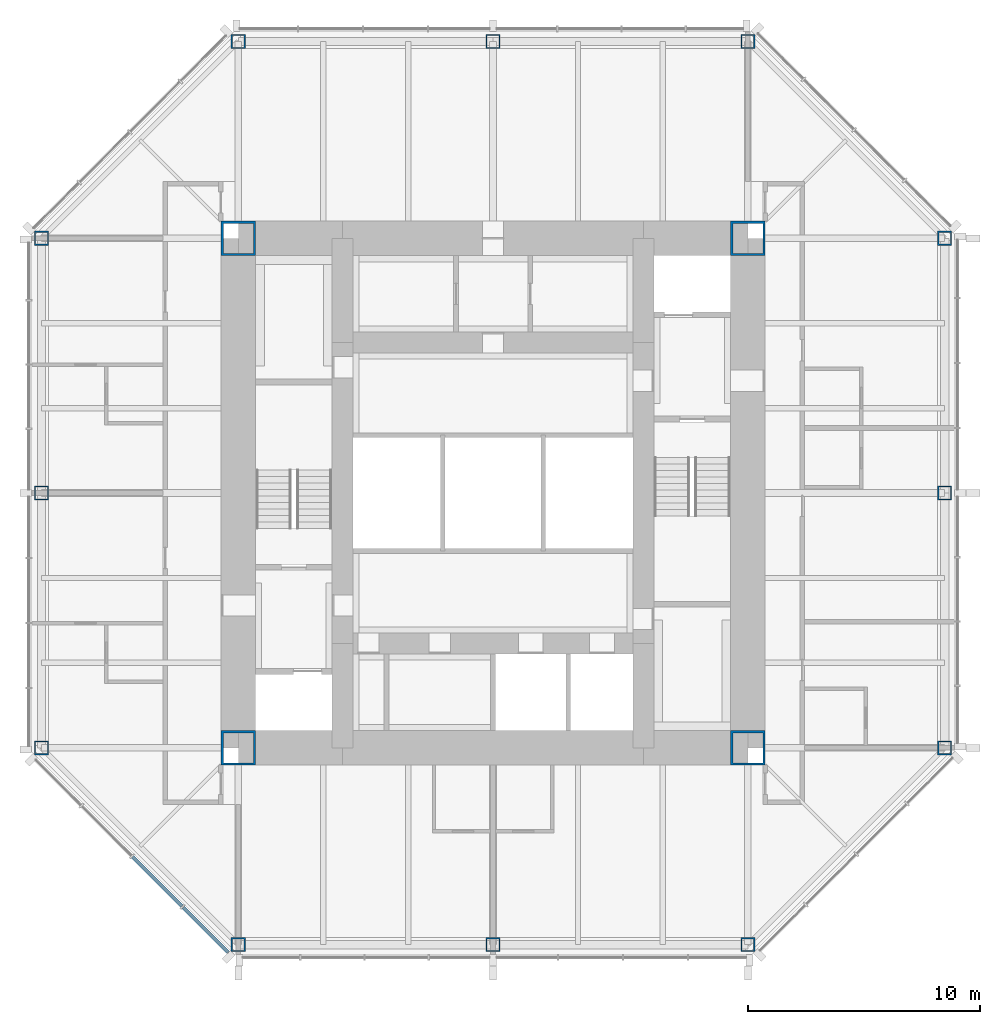
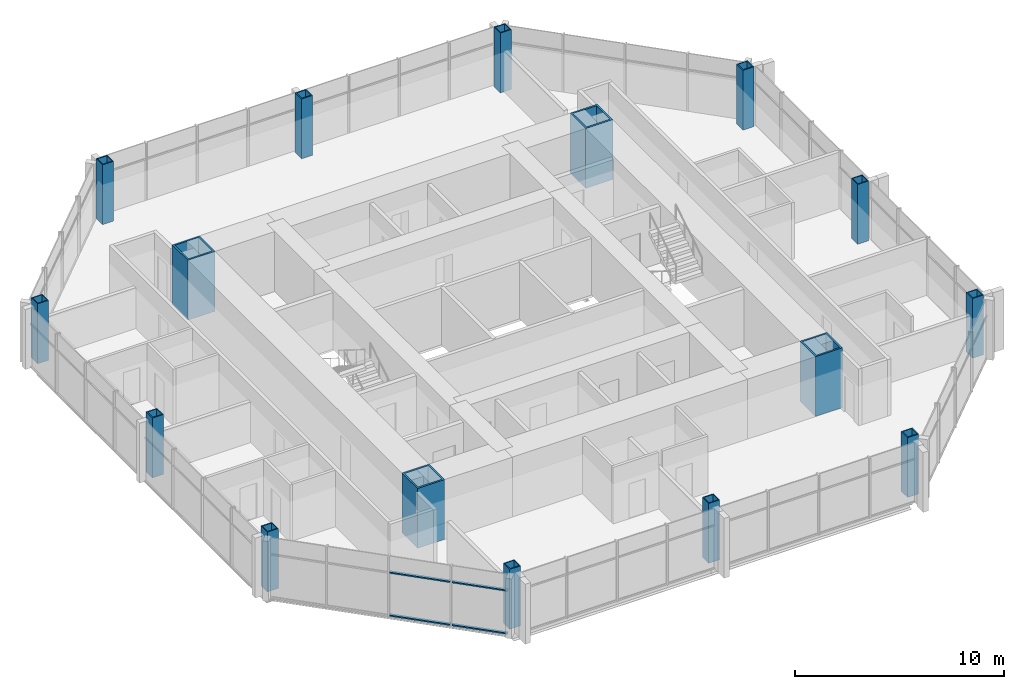
# One storey, part 1 of 11: 16 columns, 4 members, 1 element without a shape of its own.
"""IFC4 building model written with IfcOpenShell, lengths in metres."""

from ifc_helpers import new_model, si_unit, direction, frame, origin, origin_2d, place, context, subcontext, project, spatial, rectangle, hollow_rectangle, extrude, material, material_profile, profile_set, type_object, element, aggregate, save


model = new_model("IFC4")

# Units and contexts
model_context = context("Model", 3, precision=1e-05, world=origin(), true_north=direction((0.0, 1.0)))
body_context = subcontext(model_context, "Body", "Model", "MODEL_VIEW")
ifc_project = project(units=[si_unit("LENGTHUNIT", "METRE"), si_unit("AREAUNIT", "SQUARE_METRE"), si_unit("VOLUMEUNIT", "CUBIC_METRE"), si_unit("PLANEANGLEUNIT", "RADIAN"), si_unit("MASSUNIT", "GRAM", prefix="KILO")], contexts=[model_context])

# Site, building, storey
site_placement = place(None, origin())
site = spatial("IfcSite", under=ifc_project, at=site_placement, CompositionType="ELEMENT")
building_placement = place(site_placement, origin())
building = spatial("IfcBuilding", under=site, at=building_placement, Name="Trevanion Tower", CompositionType="ELEMENT")
storey_placement = place(building_placement, frame((0.0, 0.0, 253.699951171875)))
storey = spatial("IfcBuildingStorey", under=building, at=storey_placement, Name="L62", CompositionType="ELEMENT", Elevation=253.699951171875)

# Columns
ifc_material_1 = material(Name="Steel ASTM A572 Grade 50", Category="steel")
ifc_material_profile_1 = material_profile(ifc_material_1, hollow_rectangle(XDim=0.609619140625, YDim=0.609619140625, WallThickness=0.05078125, at=origin_2d()), Name="BOX24X24X2")
ifc_profile_set_1 = profile_set([ifc_material_profile_1], Name="Steel ASTM A572 Grade 50")
column_type_1 = type_object("IfcColumnType", Name="C5 BOX24X24X2", PredefinedType="COLUMN", material=ifc_profile_set_1)
for number, where, z_axis, x_axis, name in (
    (1, (-19.5, 0.0, 0.0), (0.0, 0.0, 1.0), (0.0, 1.0, 0.0), "C5 5/H L62"),
    (2, (-19.5, -11.0, 0.0), (0.0, 0.0, 1.0), (0.0, 1.0, 0.0), "C5 5/F L62"),
    (3, (-11.0, -19.5, 0.0), (0.0, 0.0, 1.0), (1.0, 0.0, 0.0), "C5 8/C L62"),
    (4, (0.0, -19.5, 0.0), (0.0, 0.0, 1.0), (1.0, 0.0, 0.0), "C5 10/C L62"),
    (5, (11.0, -19.5, 0.0), (0.0, 0.0, 1.0), (1.0, 0.0, 0.0), "C5 12/C L62"),
    (6, (19.5, -11.0, 0.0), (0.0, 0.0, 1.0), (0.0, 1.0, 0.0), "C5 15/F L62"),
    (7, (19.5, 0.0, 0.0), (0.0, 0.0, 1.0), (0.0, 1.0, 0.0), "C5 15/H L62"),
    (8, (19.5, 11.0, 0.0), (0.0, 0.0, 1.0), (0.0, 1.0, 0.0), "C5 15/K L62"),
    (9, (11.0, 19.5, 0.0), (0.0, 0.0, 1.0), (1.0, 0.0, 0.0), "C5 12/N L62"),
    (10, (0.0, 19.5, 0.0), (0.0, 0.0, 1.0), (1.0, 0.0, 0.0), "C5 10/N L62"),
    (11, (-11.0, 19.5, 0.0), (0.0, 0.0, 1.0), (1.0, 0.0, 0.0), "C5 8/N L62"),
    (12, (-19.5, 11.0, 0.0), (0.0, 0.0, 1.0), (0.0, 1.0, 0.0), "C5 5/K L62"),
):
    element("IfcColumn", number, at=place(storey_placement, frame(where, z_axis=z_axis, x_axis=x_axis)), inside=storey, type_object=column_type_1, Name=name, PredefinedType="COLUMN", context=body_context, shape_type="SweptSolid", body=[
        extrude(hollow_rectangle(XDim=0.609619140625, YDim=0.609619140625, WallThickness=0.05078125, at=origin_2d()), origin(), (0.0, 0.0, 1.0), 3.5),
    ])
ifc_material_2 = material(Name="Steel ASTM A572 Grade 50", Category="steel")
ifc_material_profile_2 = material_profile(ifc_material_2, hollow_rectangle(XDim=1.49853515625, YDim=1.49853515625, WallThickness=0.1015625, at=origin_2d()), Name="BOX59X59X4")
ifc_profile_set_2 = profile_set([ifc_material_profile_2], Name="Steel ASTM A572 Grade 50")
column_type_2 = type_object("IfcColumnType", Name="CB1 BOX59X59X4", PredefinedType="COLUMN", material=ifc_profile_set_2)
for number, where, z_axis, x_axis, name in (
    (13, (11.0, 11.0, 0.0), (0.0, 0.0, 1.0), (1.0, 0.0, 0.0), "CB1 NE L62"),
    (14, (-11.0, 11.0, 0.0), (0.0, 0.0, 1.0), (1.0, 0.0, 0.0), "CB1 NW L62"),
    (15, (-11.0, -11.0, 0.0), (0.0, 0.0, 1.0), (1.0, 0.0, 0.0), "CB1 SW L62"),
    (16, (11.0, -11.0, 0.0), (0.0, 0.0, 1.0), (1.0, 0.0, 0.0), "CB1 SE L62"),
):
    element("IfcColumn", number, at=place(storey_placement, frame(where, z_axis=z_axis, x_axis=x_axis)), inside=storey, type_object=column_type_2, Name=name, PredefinedType="COLUMN", context=body_context, shape_type="SweptSolid", body=[
        extrude(hollow_rectangle(XDim=1.49853515625, YDim=1.49853515625, WallThickness=0.1015625, at=origin_2d()), origin(), (0.0, 0.0, 1.0), 3.5),
    ])

# Curtain wall, members
ifc_material_3 = material(Name="Aluminium and glass", Category="aluminium")
curtain_wall_type = type_object("IfcCurtainWallType", Name="CW3 curtain wall", PredefinedType="USERDEFINED", material=ifc_material_3)
curtain_wall_placement = place(storey_placement, origin())
curtain_wall = element("IfcCurtainWall", 17, at=curtain_wall_placement, inside=storey, type_object=curtain_wall_type, Name="CW3 L62 5", ObjectType="UNITISED CURTAIN WALL", PredefinedType="USERDEFINED")
ifc_material_4 = material(Name="Aluminium extrusion, anodised bronze", Category="aluminium")
ifc_material_profile_3 = material_profile(ifc_material_4, rectangle(XDim=0.14990234375, YDim=0.074951171875, at=origin_2d()), Name="CW3 transom")
ifc_profile_set_3 = profile_set([ifc_material_profile_3], Name="Aluminium extrusion, anodised bronze")
member_type = type_object("IfcMemberType", Name="CW3 transom", PredefinedType="USERDEFINED", material=ifc_profile_set_3)
member_1_placement = place(storey_placement, frame((-15.56640625, -15.71142578125, -0.15234375), z_axis=(0.707106781187, -0.707106781187, 0.0), x_axis=(0.707106781187, 0.707106781187, 0.0)))
member_1 = element("IfcMember", 18, at=member_1_placement, type_object=member_type, Name="CW3 transom 3.1", ObjectType="TRANSOM", PredefinedType="USERDEFINED", context=body_context, shape_type="SweptSolid", body=[
    extrude(rectangle(XDim=0.14990234375, YDim=0.074951171875, at=origin_2d()), origin(), (0.0, 0.0, 1.0), 3.011474609375),
])
member_2_placement = place(storey_placement, frame((-15.56640625, -15.71142578125, 2.360107421875), z_axis=(0.707106781187, -0.707106781187, 0.0), x_axis=(0.707106781187, 0.707106781187, 0.0)))
member_2 = element("IfcMember", 19, at=member_2_placement, type_object=member_type, Name="CW3 transom 3.2", ObjectType="TRANSOM", PredefinedType="USERDEFINED", context=body_context, shape_type="SweptSolid", body=[
    extrude(rectangle(XDim=0.14990234375, YDim=0.074951171875, at=origin_2d()), origin(), (0.0, 0.0, 1.0), 3.011474609375),
])
member_3_placement = place(storey_placement, frame((-13.3837890625, -17.89404296875, -0.15234375), z_axis=(0.707106781187, -0.707106781187, 0.0), x_axis=(0.707106781187, 0.707106781187, 0.0)))
member_3 = element("IfcMember", 20, at=member_3_placement, type_object=member_type, Name="CW3 transom 4.1", ObjectType="TRANSOM", PredefinedType="USERDEFINED", context=body_context, shape_type="SweptSolid", body=[
    extrude(rectangle(XDim=0.14990234375, YDim=0.074951171875, at=origin_2d()), origin(), (0.0, 0.0, 1.0), 2.7490234375),
])
member_4_placement = place(storey_placement, frame((-13.3837890625, -17.89404296875, 2.360107421875), z_axis=(0.707106781187, -0.707106781187, 0.0), x_axis=(0.707106781187, 0.707106781187, 0.0)))
member_4 = element("IfcMember", 21, at=member_4_placement, type_object=member_type, Name="CW3 transom 4.2", ObjectType="TRANSOM", PredefinedType="USERDEFINED", context=body_context, shape_type="SweptSolid", body=[
    extrude(rectangle(XDim=0.14990234375, YDim=0.074951171875, at=origin_2d()), origin(), (0.0, 0.0, 1.0), 2.7490234375),
])
aggregate(curtain_wall, [member_1, member_2, member_3, member_4])

save(model, "model.ifc")
